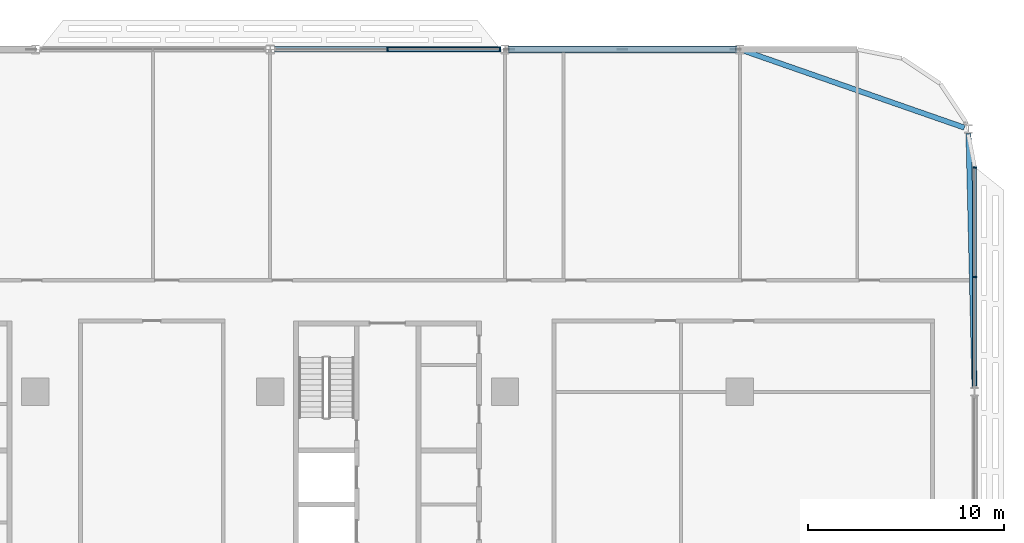
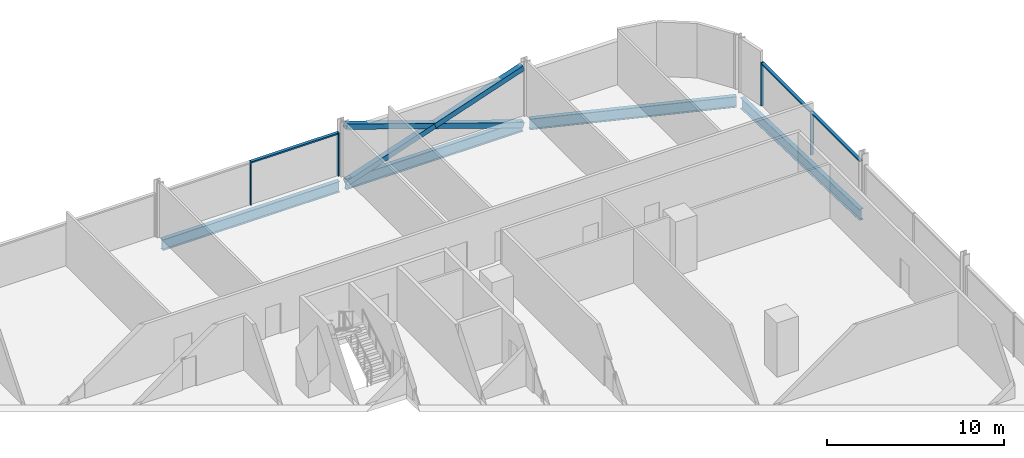
# One storey, part 10 of 29: 10 members, 4 beams, 2 elements without a shape of their own.
"""IFC4 building model written with IfcOpenShell, lengths in metres."""

from ifc_helpers import new_model, si_unit, direction, frame, origin, origin_2d, place, context, subcontext, project, spatial, rectangle, hollow_rectangle, i_section, extrude, material, material_profile, profile_set, type_object, element, aggregate, save


model = new_model("IFC4")

# Units and contexts
model_context = context("Model", 3, precision=1e-05, world=origin(), true_north=direction((0.0, 1.0)))
body_context = subcontext(model_context, "Body", "Model", "MODEL_VIEW")
ifc_project = project(units=[si_unit("LENGTHUNIT", "METRE"), si_unit("AREAUNIT", "SQUARE_METRE"), si_unit("VOLUMEUNIT", "CUBIC_METRE"), si_unit("PLANEANGLEUNIT", "RADIAN"), si_unit("MASSUNIT", "GRAM", prefix="KILO")], contexts=[model_context])

# Site, building, storey
site_placement = place(None, origin())
site = spatial("IfcSite", under=ifc_project, at=site_placement, CompositionType="ELEMENT")
building_placement = place(site_placement, origin())
building = spatial("IfcBuilding", under=site, at=building_placement, Name="Mahtab Terrace Research Tower", CompositionType="ELEMENT")
storey_placement = place(building_placement, frame((0.0, 0.0, 88.89990234375)))
storey = spatial("IfcBuildingStorey", under=building, at=storey_placement, Name="L20", CompositionType="ELEMENT", Elevation=88.89990234375)

# Members
ifc_material_1 = material(Name="Steel ASTM A500 Gr C", Category="steel")
ifc_material_profile_1 = material_profile(ifc_material_1, hollow_rectangle(XDim=0.355712890625, YDim=0.355712890625, WallThickness=0.01904296875, at=origin_2d()), Name="HSS14X14X3/4")
ifc_profile_set_1 = profile_set([ifc_material_profile_1], Name="Steel ASTM A500 Gr C")
member_type_1 = type_object("IfcMemberType", Name="HSS 14x14x3/4 brace XB141434", PredefinedType="BRACE", material=ifc_profile_set_1)
member_1_placement = place(storey_placement, frame((41.79052734375, 29.0, -0.646728515625), z_axis=(-0.946292853795, 0.0, 0.323310740397), x_axis=(0.0, -1.0, 0.0)))
element("IfcMember", 1, at=member_1_placement, inside=storey, type_object=member_type_1, Name="Exoskeleton brace L20 02 a", PredefinedType="BRACE", context=body_context, shape_type="SweptSolid", body=[
    extrude(hollow_rectangle(XDim=0.355712890625, YDim=0.355712890625, WallThickness=0.01904296875, at=origin_2d()), origin(), (0.0, 0.0, 1.0), 12.23828125),
])
for number, where, z_axis, x_axis, name in (
    (2, (30.20947265625, 29.0, -0.646728515625), (0.946298956945, 0.0, 0.323292876639), (0.0, 1.0, 0.0), "Exoskeleton brace L20 02 b1"),
    (3, (36.0, 29.0, 1.33154296875), (0.946286750388, 0.0, 0.323328603809), (0.0, 1.0, 0.0), "Exoskeleton brace L20 02 b2"),
):
    element("IfcMember", number, at=place(storey_placement, frame(where, z_axis=z_axis, x_axis=x_axis)), inside=storey, type_object=member_type_1, Name=name, PredefinedType="BRACE", context=body_context, shape_type="SweptSolid", body=[
        extrude(hollow_rectangle(XDim=0.355712890625, YDim=0.355712890625, WallThickness=0.01904296875, at=origin_2d()), origin(), (0.0, 0.0, 1.0), 6.119140625),
    ])

# Curtain wall, members
ifc_material_2 = material(Name="Laboratory ribbon curtain wall")
curtain_wall_type = type_object("IfcCurtainWallType", Name="Laboratory ribbon curtain wall", PredefinedType="NOTDEFINED", material=ifc_material_2)
curtain_wall_1_placement = place(storey_placement, origin())
curtain_wall_1 = element("IfcCurtainWall", 4, at=curtain_wall_1_placement, inside=storey, type_object=curtain_wall_type, Name="EN.L20.3.5", PredefinedType="NOTDEFINED")
ifc_material_3 = material(Name="Natural anodised aluminium", Category="aluminium")
ifc_material_profile_2 = material_profile(ifc_material_3, rectangle(XDim=0.199951171875, YDim=0.06494140625, at=origin_2d()), Name="MULLION 65x200")
ifc_profile_set_2 = profile_set([ifc_material_profile_2], Name="Natural anodised aluminium")
member_type_2 = type_object("IfcMemberType", Name="Laboratory ribbon curtain wall mullion", PredefinedType="MULLION", material=ifc_profile_set_2)
member_2_placement = place(storey_placement, frame((29.739501953125, 29.0, 0.0), z_axis=(0.0, 0.0, 1.0), x_axis=(0.0, -1.0, 0.0)))
member_2 = element("IfcMember", 5, at=member_2_placement, type_object=member_type_2, Name="CWL-3 mullion 1", PredefinedType="MULLION", context=body_context, shape_type="SweptSolid", body=[
    extrude(rectangle(XDim=0.199951171875, YDim=0.06494140625, at=origin_2d()), origin(), (0.0, 0.0, 1.0), 3.003173828125),
])
member_3_placement = place(storey_placement, frame((24.0, 29.0, 0.0), z_axis=(0.0, 0.0, 1.0), x_axis=(0.0, -1.0, 0.0)))
member_3 = element("IfcMember", 6, at=member_3_placement, type_object=member_type_2, Name="CWL-3 mullion 2", PredefinedType="MULLION", context=body_context, shape_type="SweptSolid", body=[
    extrude(rectangle(XDim=0.199951171875, YDim=0.06494140625, at=origin_2d()), origin(), (0.0, 0.0, 1.0), 3.003173828125),
])

curtain_wall_2_placement = place(storey_placement, origin())
curtain_wall_2 = element("IfcCurtainWall", 7, at=curtain_wall_2_placement, inside=storey, type_object=curtain_wall_type, Name="EN.L20.18.38", PredefinedType="NOTDEFINED")
member_4_placement = place(storey_placement, frame((54.0, 17.364013671875, 0.0), z_axis=(0.0, 0.0, 1.0), x_axis=(-1.0, 0.0, 0.0)))
member_4 = element("IfcMember", 8, at=member_4_placement, type_object=member_type_2, Name="CWL-3 mullion 2", PredefinedType="MULLION", context=body_context, shape_type="SweptSolid", body=[
    extrude(rectangle(XDim=0.199951171875, YDim=0.06494140625, at=origin_2d()), origin(), (0.0, 0.0, 1.0), 3.003173828125),
])
member_5_placement = place(storey_placement, frame((54.0, 22.967529296875, 0.0), z_axis=(0.0, 0.0, 1.0), x_axis=(-1.0, 0.0, 0.0)))
member_5 = element("IfcMember", 9, at=member_5_placement, type_object=member_type_2, Name="CWL-3 mullion 3", PredefinedType="MULLION", context=body_context, shape_type="SweptSolid", body=[
    extrude(rectangle(XDim=0.199951171875, YDim=0.06494140625, at=origin_2d()), origin(), (0.0, 0.0, 1.0), 3.003173828125),
])

# Member
ifc_material_profile_3 = material_profile(ifc_material_3, rectangle(XDim=0.199951171875, YDim=0.10009765625, at=origin_2d()), Name="TRANSOM 100x200")
ifc_profile_set_3 = profile_set([ifc_material_profile_3], Name="Natural anodised aluminium")
member_type_3 = type_object("IfcMemberType", Name="Laboratory ribbon curtain wall transom", PredefinedType="USERDEFINED", material=ifc_profile_set_3)
member_6_placement = place(storey_placement, frame((29.70703125, 29.0, 2.953125), z_axis=(-1.0, 0.0, 0.0), x_axis=(0.0, -1.0, 0.0)))
member_6 = element("IfcMember", 10, at=member_6_placement, type_object=member_type_3, Name="CWL-3 transom 1", ObjectType="TRANSOM", PredefinedType="USERDEFINED", context=body_context, shape_type="SweptSolid", body=[
    extrude(rectangle(XDim=0.199951171875, YDim=0.10009765625, at=origin_2d()), origin(), (0.0, 0.0, 1.0), 5.674560546875),
])

aggregate(curtain_wall_1, [member_2, member_3, member_6])

member_7_placement = place(storey_placement, frame((54.0, 11.79296875, 2.953125), z_axis=(0.0, 1.0, 0.0), x_axis=(-1.0, 0.0, 0.0)))
member_7 = element("IfcMember", 11, at=member_7_placement, type_object=member_type_3, Name="CWL-3 transom 1", ObjectType="TRANSOM", PredefinedType="USERDEFINED", context=body_context, shape_type="SweptSolid", body=[
    extrude(rectangle(XDim=0.199951171875, YDim=0.10009765625, at=origin_2d()), origin(), (0.0, 0.0, 1.0), 5.53857421875),
])

member_8_placement = place(storey_placement, frame((54.0, 17.396484375, 2.953125), z_axis=(0.0, 1.0, 0.0), x_axis=(-1.0, 0.0, 0.0)))
member_8 = element("IfcMember", 12, at=member_8_placement, type_object=member_type_3, Name="CWL-3 transom 2", ObjectType="TRANSOM", PredefinedType="USERDEFINED", context=body_context, shape_type="SweptSolid", body=[
    extrude(rectangle(XDim=0.199951171875, YDim=0.10009765625, at=origin_2d()), origin(), (0.0, 0.0, 1.0), 5.53857421875),
])

aggregate(curtain_wall_2, [member_4, member_5, member_7, member_8])

# Beams
ifc_material_4 = material(Name="Steel ASTM A992 Gr 50", Category="steel")
ifc_material_profile_4 = material_profile(ifc_material_4, i_section(OverallWidth=0.2666015625, OverallDepth=0.7568359375, WebThickness=0.013916015625, FlangeThickness=0.019287109375, at=origin_2d()), Name="W30X108")
ifc_profile_set_4 = profile_set([ifc_material_profile_4], Name="Steel ASTM A992 Gr 50")
beam_type = type_object("IfcBeamType", Name="W30x108 beam BS30108", PredefinedType="BEAM", material=ifc_profile_set_4)
beam_1_placement = place(storey_placement, frame((53.472412109375, 25.0, -0.71826171875), z_axis=(-0.944250501583, 0.32922786981, 0.0), x_axis=(-0.32922786981, -0.944250501583, 0.0)))
element("IfcBeam", 13, at=beam_1_placement, inside=storey, type_object=beam_type, Name="Spandrel beam L20 01", PredefinedType="BEAM", context=body_context, shape_type="SweptSolid", body=[
    extrude(i_section(OverallWidth=0.2666015625, OverallDepth=0.7568359375, WebThickness=0.013916015625, FlangeThickness=0.019287109375, at=origin_2d()), origin(), (0.0, 0.0, 1.0), 11.927978515625),
])
for number, where, z_axis, x_axis, name in (
    (14, (41.79052734375, 29.0, -0.71826171875), (-1.0, 0.0, 0.0), (0.0, -1.0, 0.0), "Spandrel beam L20 02"),
    (15, (29.79052734375, 29.0, -0.71826171875), (-1.0, 0.0, 0.0), (0.0, -1.0, 0.0), "Spandrel beam L20 03"),
):
    element("IfcBeam", number, at=place(storey_placement, frame(where, z_axis=z_axis, x_axis=x_axis)), inside=storey, type_object=beam_type, Name=name, PredefinedType="BEAM", context=body_context, shape_type="SweptSolid", body=[
        extrude(i_section(OverallWidth=0.2666015625, OverallDepth=0.7568359375, WebThickness=0.013916015625, FlangeThickness=0.019287109375, at=origin_2d()), origin(), (0.0, 0.0, 1.0), 11.5810546875),
    ])
beam_2_placement = place(storey_placement, frame((53.99462890625, 11.727294921875, -0.71826171875), z_axis=(-0.023668910773, 0.99971985209, 0.0), x_axis=(-0.99971985209, -0.023668910773, 0.0)))
element("IfcBeam", 16, at=beam_2_placement, inside=storey, type_object=beam_type, Name="Spandrel beam L20 22", PredefinedType="BEAM", context=body_context, shape_type="SweptSolid", body=[
    extrude(i_section(OverallWidth=0.2666015625, OverallDepth=0.7568359375, WebThickness=0.013916015625, FlangeThickness=0.019287109375, at=origin_2d()), origin(), (0.0, 0.0, 1.0), 12.97607421875),
])

save(model, "model.ifc")
